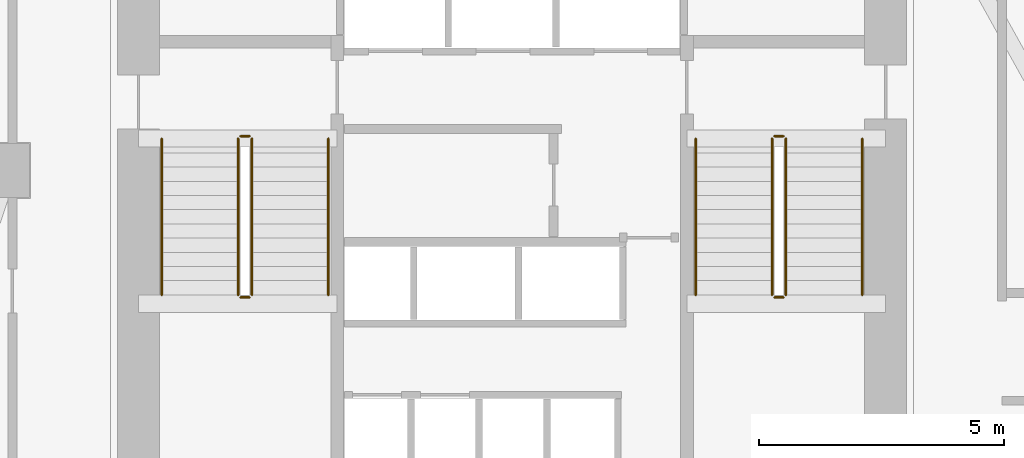
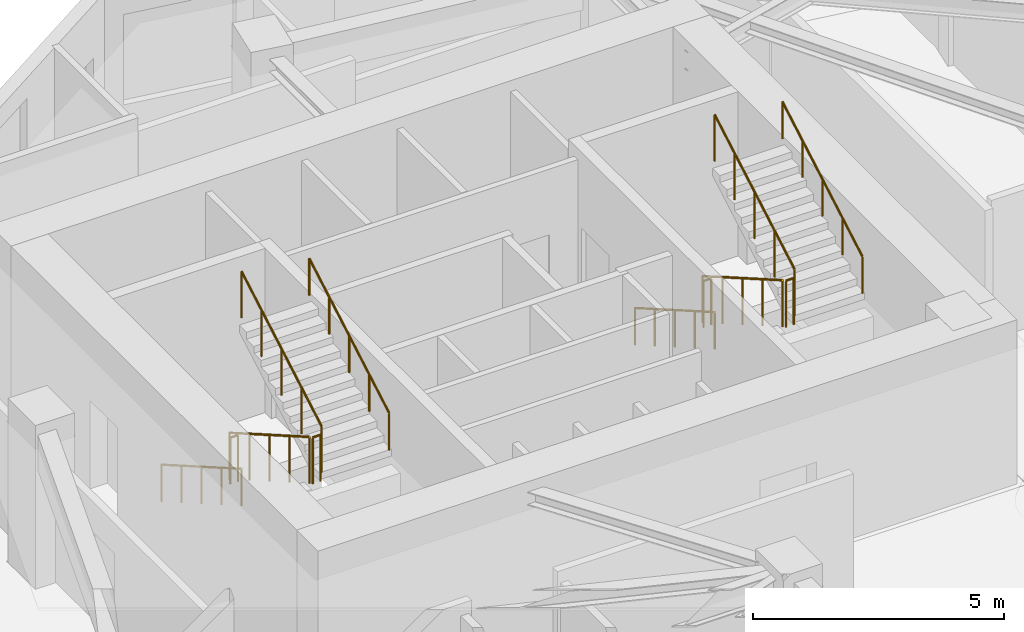
# One storey, part 10 of 11: 12 railings.
"""IFC4 building model written with IfcOpenShell, lengths in metres."""

from ifc_helpers import new_model, si_unit, direction, frame, origin, origin_2d, place, context, subcontext, project, spatial, circle, extrude, material, type_object, element, save


model = new_model("IFC4")

# Units and contexts
model_context = context("Model", 3, precision=1e-05, world=origin(), true_north=direction((0.0, 1.0)))
body_context = subcontext(model_context, "Body", "Model", "MODEL_VIEW")
ifc_project = project(units=[si_unit("LENGTHUNIT", "METRE"), si_unit("AREAUNIT", "SQUARE_METRE"), si_unit("VOLUMEUNIT", "CUBIC_METRE"), si_unit("PLANEANGLEUNIT", "RADIAN"), si_unit("MASSUNIT", "GRAM", prefix="KILO")], contexts=[model_context])

# Site, building, storey
site_placement = place(None, origin())
site = spatial("IfcSite", under=ifc_project, at=site_placement, CompositionType="ELEMENT")
building_placement = place(site_placement, origin())
building = spatial("IfcBuilding", under=site, at=building_placement, Name="Calvemar Wedge Station Tower", CompositionType="ELEMENT")
storey_placement = place(building_placement, frame((0.0, 0.0, 79.0)))
storey = spatial("IfcBuildingStorey", under=building, at=storey_placement, Name="L19", CompositionType="ELEMENT", Elevation=79.0)

# Railings
ifc_material_1 = material(Name="Stainless steel AISI 316L", Category="steel")
railing_type_1 = type_object("IfcRailingType", Name="RL-HANDRAIL-920", PredefinedType="HANDRAIL", material=ifc_material_1)
railing_1_placement = place(storey_placement, frame((16.64990234375, 41.14990234375, 0.166748046875)))
element("IfcRailing", 1, at=railing_1_placement, inside=storey, type_object=railing_type_1, Name="L19 ST-C1 stair handrail 1", PredefinedType="HANDRAIL", context=body_context, shape_type="SweptSolid", body=[
    extrude(circle(Radius=0.02392578125, at=origin_2d()), frame((0.0, 0.0, 0.89599609375), z_axis=(0.0, -0.867019545617, 0.498274128887), x_axis=(1.0, 0.0, 0.0)), (0.0, 0.0, 1.0), 3.67919921875),
    extrude(circle(Radius=0.02099609375, at=origin_2d()), origin(), (0.0, 0.0, 1.0), 0.871826171875),
    extrude(circle(Radius=0.02099609375, at=origin_2d()), frame((0.0, -0.79736328125, 0.458251953125)), (0.0, 0.0, 1.0), 0.871826171875),
    extrude(circle(Radius=0.02099609375, at=origin_2d()), frame((0.0, -1.594970703125, 0.91650390625)), (0.0, 0.0, 1.0), 0.871826171875),
    extrude(circle(Radius=0.02099609375, at=origin_2d()), frame((0.0, -2.392578125, 1.375)), (0.0, 0.0, 1.0), 0.871826171875),
    extrude(circle(Radius=0.02099609375, at=origin_2d()), frame((0.0, -3.18994140625, 1.833251953125)), (0.0, 0.0, 1.0), 0.871826171875),
])
railing_2_placement = place(storey_placement, frame((20.050048828125, 37.9599609375, 2.166748046875)))
element("IfcRailing", 2, at=railing_2_placement, inside=storey, type_object=railing_type_1, Name="L19 ST-C1 stair handrail 2", PredefinedType="HANDRAIL", context=body_context, shape_type="SweptSolid", body=[
    extrude(circle(Radius=0.02392578125, at=origin_2d()), frame((0.0, 0.0, 0.89599609375), z_axis=(0.0, 0.867019545617, 0.498274128887), x_axis=(-1.0, 0.0, 0.0)), (0.0, 0.0, 1.0), 3.67919921875),
    extrude(circle(Radius=0.02099609375, at=origin_2d()), origin(), (0.0, 0.0, 1.0), 0.871826171875),
    extrude(circle(Radius=0.02099609375, at=origin_2d()), frame((0.0, 0.79736328125, 0.458251953125)), (0.0, 0.0, 1.0), 0.871826171875),
    extrude(circle(Radius=0.02099609375, at=origin_2d()), frame((0.0, 1.594970703125, 0.91650390625)), (0.0, 0.0, 1.0), 0.871826171875),
    extrude(circle(Radius=0.02099609375, at=origin_2d()), frame((0.0, 2.392578125, 1.375)), (0.0, 0.0, 1.0), 0.871826171875),
    extrude(circle(Radius=0.02099609375, at=origin_2d()), frame((0.0, 3.18994140625, 1.833251953125)), (0.0, 0.0, 1.0), 0.871826171875),
])
railing_3_placement = place(storey_placement, frame((27.550048828125, 41.14990234375, 0.166748046875)))
element("IfcRailing", 3, at=railing_3_placement, inside=storey, type_object=railing_type_1, Name="L19 ST-C2 stair handrail 1", PredefinedType="HANDRAIL", context=body_context, shape_type="SweptSolid", body=[
    extrude(circle(Radius=0.02392578125, at=origin_2d()), frame((0.0, 0.0, 0.89599609375), z_axis=(0.0, -0.867019545617, 0.498274128887), x_axis=(1.0, 0.0, 0.0)), (0.0, 0.0, 1.0), 3.67919921875),
    extrude(circle(Radius=0.02099609375, at=origin_2d()), origin(), (0.0, 0.0, 1.0), 0.871826171875),
    extrude(circle(Radius=0.02099609375, at=origin_2d()), frame((0.0, -0.79736328125, 0.458251953125)), (0.0, 0.0, 1.0), 0.871826171875),
    extrude(circle(Radius=0.02099609375, at=origin_2d()), frame((0.0, -1.594970703125, 0.91650390625)), (0.0, 0.0, 1.0), 0.871826171875),
    extrude(circle(Radius=0.02099609375, at=origin_2d()), frame((0.0, -2.392578125, 1.375)), (0.0, 0.0, 1.0), 0.871826171875),
    extrude(circle(Radius=0.02099609375, at=origin_2d()), frame((0.0, -3.18994140625, 1.833251953125)), (0.0, 0.0, 1.0), 0.871826171875),
])
railing_4_placement = place(storey_placement, frame((30.949951171875, 37.9599609375, 2.166748046875)))
element("IfcRailing", 4, at=railing_4_placement, inside=storey, type_object=railing_type_1, Name="L19 ST-C2 stair handrail 2", PredefinedType="HANDRAIL", context=body_context, shape_type="SweptSolid", body=[
    extrude(circle(Radius=0.02392578125, at=origin_2d()), frame((0.0, 0.0, 0.89599609375), z_axis=(0.0, 0.867019545617, 0.498274128887), x_axis=(-1.0, 0.0, 0.0)), (0.0, 0.0, 1.0), 3.67919921875),
    extrude(circle(Radius=0.02099609375, at=origin_2d()), origin(), (0.0, 0.0, 1.0), 0.871826171875),
    extrude(circle(Radius=0.02099609375, at=origin_2d()), frame((0.0, 0.79736328125, 0.458251953125)), (0.0, 0.0, 1.0), 0.871826171875),
    extrude(circle(Radius=0.02099609375, at=origin_2d()), frame((0.0, 1.594970703125, 0.91650390625)), (0.0, 0.0, 1.0), 0.871826171875),
    extrude(circle(Radius=0.02099609375, at=origin_2d()), frame((0.0, 2.392578125, 1.375)), (0.0, 0.0, 1.0), 0.871826171875),
    extrude(circle(Radius=0.02099609375, at=origin_2d()), frame((0.0, 3.18994140625, 1.833251953125)), (0.0, 0.0, 1.0), 0.871826171875),
])
ifc_material_2 = material(Name="Painted steel guardrail ASTM A500 Grade C", Category="steel")
railing_type_2 = type_object("IfcRailingType", Name="RL-STAIR-GUARD-1150", PredefinedType="GUARDRAIL", material=ifc_material_2)
railing_5_placement = place(storey_placement, frame((18.2099609375, 41.14990234375, 0.166748046875)))
element("IfcRailing", 5, at=railing_5_placement, inside=storey, type_object=railing_type_2, Name="L19 ST-C1 stair guard 1", PredefinedType="GUARDRAIL", context=body_context, shape_type="SweptSolid", body=[
    extrude(circle(Radius=0.02392578125, at=origin_2d()), frame((0.0, 0.0, 1.1259765625), z_axis=(0.0, -0.867019545617, 0.498274128887), x_axis=(1.0, 0.0, 0.0)), (0.0, 0.0, 1.0), 3.67919921875),
    extrude(circle(Radius=0.02099609375, at=origin_2d()), origin(), (0.0, 0.0, 1.0), 1.101806640625),
    extrude(circle(Radius=0.02099609375, at=origin_2d()), frame((0.0, -0.79736328125, 0.458251953125)), (0.0, 0.0, 1.0), 1.101806640625),
    extrude(circle(Radius=0.02099609375, at=origin_2d()), frame((0.0, -1.594970703125, 0.91650390625)), (0.0, 0.0, 1.0), 1.101806640625),
    extrude(circle(Radius=0.02099609375, at=origin_2d()), frame((0.0, -2.392578125, 1.375)), (0.0, 0.0, 1.0), 1.101806640625),
    extrude(circle(Radius=0.02099609375, at=origin_2d()), frame((0.0, -3.18994140625, 1.833251953125)), (0.0, 0.0, 1.0), 1.101806640625),
])
railing_6_placement = place(storey_placement, frame((18.260009765625, 37.909912109375, 2.0)))
element("IfcRailing", 6, at=railing_6_placement, inside=storey, type_object=railing_type_2, Name="L19 ST-C1 stair guard 2", PredefinedType="GUARDRAIL", context=body_context, shape_type="SweptSolid", body=[
    extrude(circle(Radius=0.02392578125, at=origin_2d()), frame((0.0, 0.0, 1.1259765625), z_axis=(1.0, 0.0, 0.0), x_axis=(0.0, 1.0, 0.0)), (0.0, 0.0, 1.0), 0.179931640625),
    extrude(circle(Radius=0.02099609375, at=origin_2d()), origin(), (0.0, 0.0, 1.0), 1.101806640625),
    extrude(circle(Radius=0.02099609375, at=origin_2d()), frame((0.179931640625, 0.0, 0.0)), (0.0, 0.0, 1.0), 1.101806640625),
])
railing_7_placement = place(storey_placement, frame((18.489990234375, 37.9599609375, 2.166748046875)))
element("IfcRailing", 7, at=railing_7_placement, inside=storey, type_object=railing_type_2, Name="L19 ST-C1 stair guard 3", PredefinedType="GUARDRAIL", context=body_context, shape_type="SweptSolid", body=[
    extrude(circle(Radius=0.02392578125, at=origin_2d()), frame((0.0, 0.0, 1.1259765625), z_axis=(0.0, 0.867019545617, 0.498274128887), x_axis=(-1.0, 0.0, 0.0)), (0.0, 0.0, 1.0), 3.67919921875),
    extrude(circle(Radius=0.02099609375, at=origin_2d()), origin(), (0.0, 0.0, 1.0), 1.101806640625),
    extrude(circle(Radius=0.02099609375, at=origin_2d()), frame((0.0, 0.79736328125, 0.458251953125)), (0.0, 0.0, 1.0), 1.101806640625),
    extrude(circle(Radius=0.02099609375, at=origin_2d()), frame((0.0, 1.594970703125, 0.91650390625)), (0.0, 0.0, 1.0), 1.101806640625),
    extrude(circle(Radius=0.02099609375, at=origin_2d()), frame((0.0, 2.392578125, 1.375)), (0.0, 0.0, 1.0), 1.101806640625),
    extrude(circle(Radius=0.02099609375, at=origin_2d()), frame((0.0, 3.18994140625, 1.833251953125)), (0.0, 0.0, 1.0), 1.101806640625),
])
railing_8_placement = place(storey_placement, frame((18.260009765625, 41.199951171875, 0.0)))
element("IfcRailing", 8, at=railing_8_placement, inside=storey, type_object=railing_type_2, Name="L19 ST-C1 stair guard 4", PredefinedType="GUARDRAIL", context=body_context, shape_type="SweptSolid", body=[
    extrude(circle(Radius=0.02392578125, at=origin_2d()), frame((0.0, 0.0, 1.1259765625), z_axis=(1.0, 0.0, 0.0), x_axis=(0.0, 1.0, 0.0)), (0.0, 0.0, 1.0), 0.179931640625),
    extrude(circle(Radius=0.02099609375, at=origin_2d()), origin(), (0.0, 0.0, 1.0), 1.101806640625),
    extrude(circle(Radius=0.02099609375, at=origin_2d()), frame((0.179931640625, 0.0, 0.0)), (0.0, 0.0, 1.0), 1.101806640625),
])
railing_9_placement = place(storey_placement, frame((29.110107421875, 41.14990234375, 0.166748046875)))
element("IfcRailing", 9, at=railing_9_placement, inside=storey, type_object=railing_type_2, Name="L19 ST-C2 stair guard 1", PredefinedType="GUARDRAIL", context=body_context, shape_type="SweptSolid", body=[
    extrude(circle(Radius=0.02392578125, at=origin_2d()), frame((0.0, 0.0, 1.1259765625), z_axis=(0.0, -0.867019545617, 0.498274128887), x_axis=(1.0, 0.0, 0.0)), (0.0, 0.0, 1.0), 3.67919921875),
    extrude(circle(Radius=0.02099609375, at=origin_2d()), origin(), (0.0, 0.0, 1.0), 1.101806640625),
    extrude(circle(Radius=0.02099609375, at=origin_2d()), frame((0.0, -0.79736328125, 0.458251953125)), (0.0, 0.0, 1.0), 1.101806640625),
    extrude(circle(Radius=0.02099609375, at=origin_2d()), frame((0.0, -1.594970703125, 0.91650390625)), (0.0, 0.0, 1.0), 1.101806640625),
    extrude(circle(Radius=0.02099609375, at=origin_2d()), frame((0.0, -2.392578125, 1.375)), (0.0, 0.0, 1.0), 1.101806640625),
    extrude(circle(Radius=0.02099609375, at=origin_2d()), frame((0.0, -3.18994140625, 1.833251953125)), (0.0, 0.0, 1.0), 1.101806640625),
])
railing_10_placement = place(storey_placement, frame((29.159912109375, 37.909912109375, 2.0)))
element("IfcRailing", 10, at=railing_10_placement, inside=storey, type_object=railing_type_2, Name="L19 ST-C2 stair guard 2", PredefinedType="GUARDRAIL", context=body_context, shape_type="SweptSolid", body=[
    extrude(circle(Radius=0.02392578125, at=origin_2d()), frame((0.0, 0.0, 1.1259765625), z_axis=(1.0, 0.0, 0.0), x_axis=(0.0, 1.0, 0.0)), (0.0, 0.0, 1.0), 0.18017578125),
    extrude(circle(Radius=0.02099609375, at=origin_2d()), origin(), (0.0, 0.0, 1.0), 1.101806640625),
    extrude(circle(Radius=0.02099609375, at=origin_2d()), frame((0.18017578125, 0.0, 0.0)), (0.0, 0.0, 1.0), 1.101806640625),
])
railing_11_placement = place(storey_placement, frame((29.389892578125, 37.9599609375, 2.166748046875)))
element("IfcRailing", 11, at=railing_11_placement, inside=storey, type_object=railing_type_2, Name="L19 ST-C2 stair guard 3", PredefinedType="GUARDRAIL", context=body_context, shape_type="SweptSolid", body=[
    extrude(circle(Radius=0.02392578125, at=origin_2d()), frame((0.0, 0.0, 1.1259765625), z_axis=(0.0, 0.867019545617, 0.498274128887), x_axis=(-1.0, 0.0, 0.0)), (0.0, 0.0, 1.0), 3.67919921875),
    extrude(circle(Radius=0.02099609375, at=origin_2d()), origin(), (0.0, 0.0, 1.0), 1.101806640625),
    extrude(circle(Radius=0.02099609375, at=origin_2d()), frame((0.0, 0.79736328125, 0.458251953125)), (0.0, 0.0, 1.0), 1.101806640625),
    extrude(circle(Radius=0.02099609375, at=origin_2d()), frame((0.0, 1.594970703125, 0.91650390625)), (0.0, 0.0, 1.0), 1.101806640625),
    extrude(circle(Radius=0.02099609375, at=origin_2d()), frame((0.0, 2.392578125, 1.375)), (0.0, 0.0, 1.0), 1.101806640625),
    extrude(circle(Radius=0.02099609375, at=origin_2d()), frame((0.0, 3.18994140625, 1.833251953125)), (0.0, 0.0, 1.0), 1.101806640625),
])
railing_12_placement = place(storey_placement, frame((29.159912109375, 41.199951171875, 0.0)))
element("IfcRailing", 12, at=railing_12_placement, inside=storey, type_object=railing_type_2, Name="L19 ST-C2 stair guard 4", PredefinedType="GUARDRAIL", context=body_context, shape_type="SweptSolid", body=[
    extrude(circle(Radius=0.02392578125, at=origin_2d()), frame((0.0, 0.0, 1.1259765625), z_axis=(1.0, 0.0, 0.0), x_axis=(0.0, 1.0, 0.0)), (0.0, 0.0, 1.0), 0.18017578125),
    extrude(circle(Radius=0.02099609375, at=origin_2d()), origin(), (0.0, 0.0, 1.0), 1.101806640625),
    extrude(circle(Radius=0.02099609375, at=origin_2d()), frame((0.18017578125, 0.0, 0.0)), (0.0, 0.0, 1.0), 1.101806640625),
])

save(model, "model.ifc")
